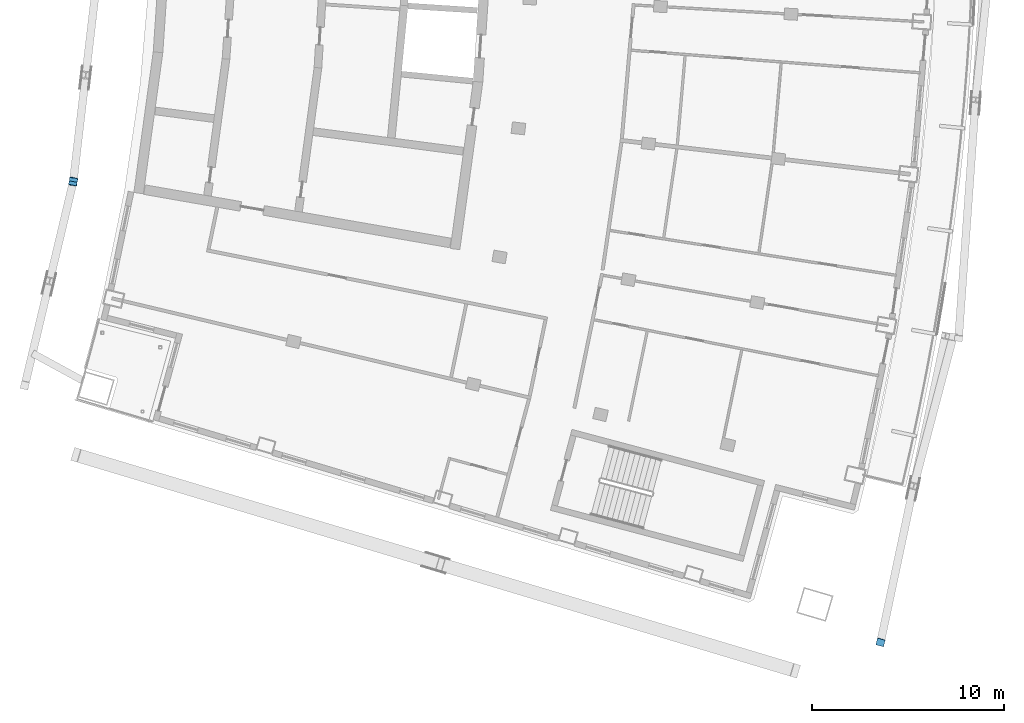
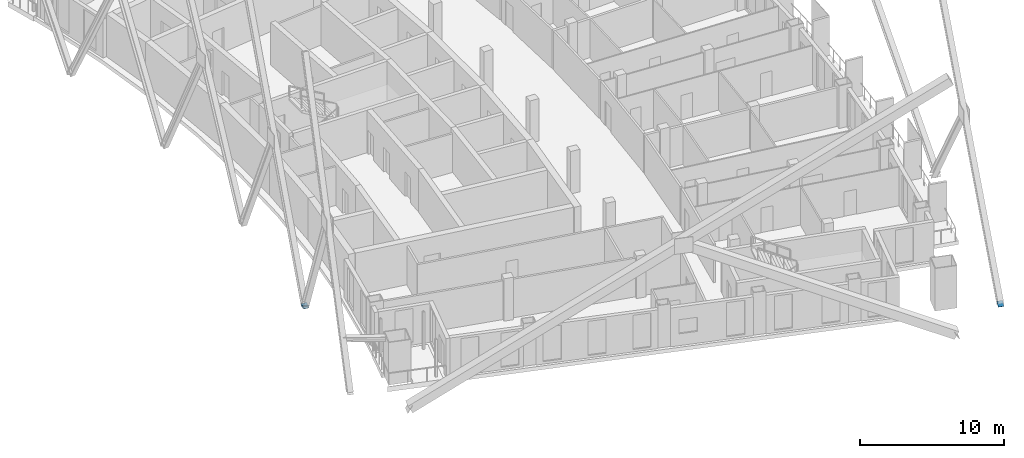
# One storey, part 16 of 21: 3 discrete accessories.
"""IFC4 building model written with IfcOpenShell, lengths in metres."""

from ifc_helpers import new_model, si_unit, direction, frame, origin, origin_2d, place, context, subcontext, project, spatial, rectangle, extrude, material, material_profile, profile_set, type_object, element, save


model = new_model("IFC4")

# Units and contexts
model_context = context("Model", 3, precision=1e-05, world=origin(), true_north=direction((0.0, 1.0)))
body_context = subcontext(model_context, "Body", "Model", "MODEL_VIEW")
ifc_project = project(units=[si_unit("LENGTHUNIT", "METRE"), si_unit("AREAUNIT", "SQUARE_METRE"), si_unit("VOLUMEUNIT", "CUBIC_METRE"), si_unit("PLANEANGLEUNIT", "RADIAN"), si_unit("MASSUNIT", "GRAM", prefix="KILO")], contexts=[model_context])

# Site, building, storey
site_placement = place(None, origin())
site = spatial("IfcSite", under=ifc_project, at=site_placement, CompositionType="ELEMENT")
building_placement = place(site_placement, origin())
building = spatial("IfcBuilding", under=site, at=building_placement, Name="Alderwake Tower", CompositionType="ELEMENT")
storey_placement = place(building_placement, frame((0.0, 0.0, 267.199951171875)))
storey = spatial("IfcBuildingStorey", under=building, at=storey_placement, Name="L66", CompositionType="ELEMENT", Elevation=267.199951171875)

# Discrete accessories
ifc_material = material(Name="Steel ASTM A572 Grade 50", Category="steel")
ifc_material_profile = material_profile(ifc_material, rectangle(XDim=0.41552734375, YDim=0.445556640625, at=origin_2d()), Name="W14X342 cap")
ifc_profile_set = profile_set([ifc_material_profile], Name="Steel ASTM A572 Grade 50")
discrete_accessory_type = type_object("IfcDiscreteAccessoryType", Name="End cap plate W14X342", PredefinedType="USERDEFINED", material=ifc_profile_set)
for number, where, z_axis, x_axis, name in (
    (1, (53.831298828125, 20.820068359375, 0.0), (-0.162285493843, -0.584227777833, 0.795198919828), (0.96351790963, -0.267643863786, 0.0), "End cap BRF5.1.2B2 N"),
    (2, (11.875, 44.755615234375, 0.0), (0.105495990526, 0.438214114494, 0.892658381376), (-0.972223637158, 0.234053838575, 0.0), "End cap BRR5.1.2A N"),
    (3, (11.875, 44.755615234375, 0.0), (-0.056826119483, -0.446490938798, 0.892981877596), (0.991997911724, -0.126254279674, 0.0), "End cap BRR5.1.4B2 N"),
):
    element("IfcDiscreteAccessory", number, at=place(storey_placement, frame(where, z_axis=z_axis, x_axis=x_axis)), inside=storey, type_object=discrete_accessory_type, Name=name, ObjectType="END CAP", PredefinedType="USERDEFINED", context=body_context, shape_type="SweptSolid", body=[
        extrude(rectangle(XDim=0.41552734375, YDim=0.445556640625, at=origin_2d()), origin(), (0.0, 0.0, 1.0), 0.030029296875),
    ])

save(model, "model.ifc")
